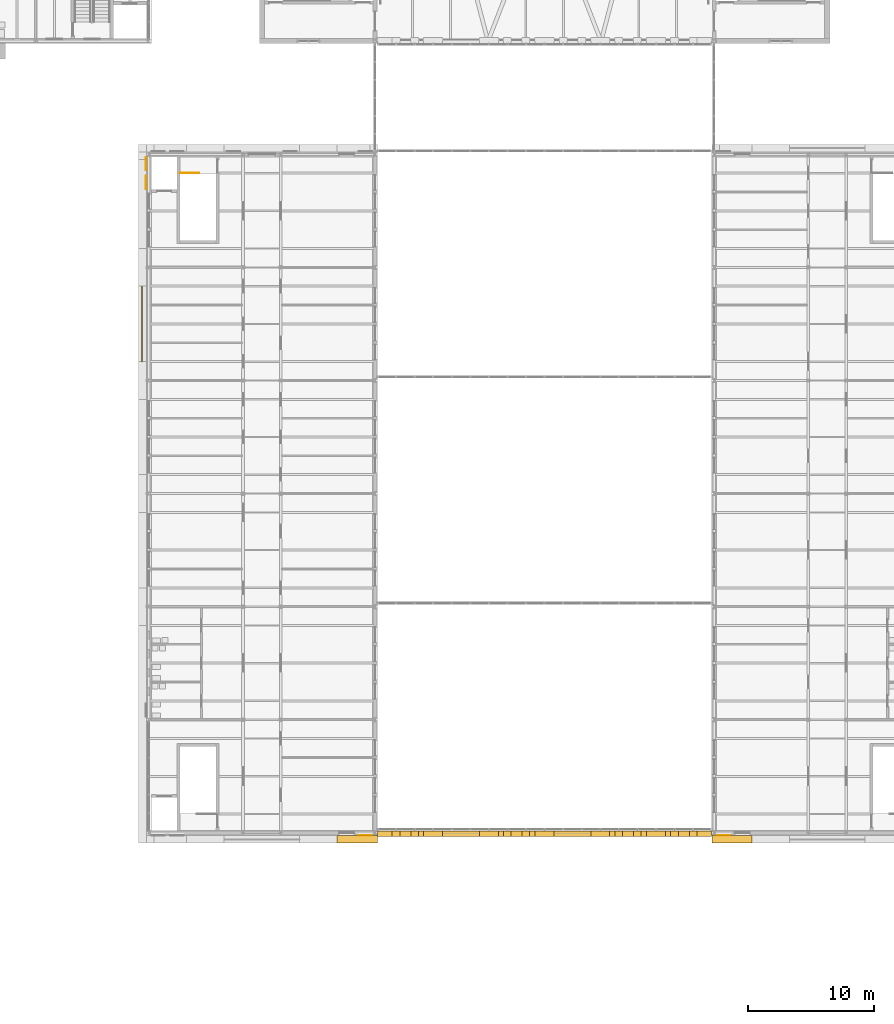
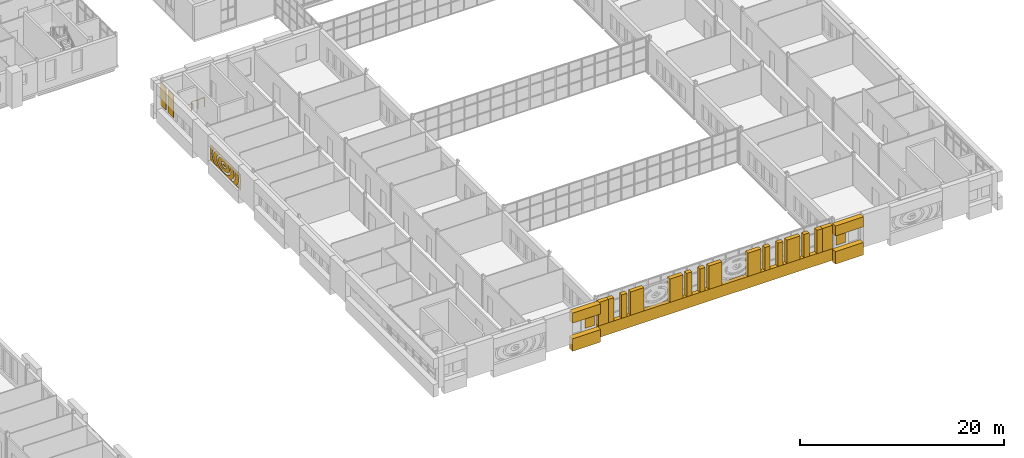
# One storey, part 140 of 154: 25 coverings, 1 railing.
"""IFC4 building model written with IfcOpenShell, lengths in metres."""

from ifc_helpers import new_model, si_unit, direction, frame, origin, origin_2d, place, context, subcontext, project, spatial, polyline, circle, outline, extrude, material, layer, layer_set, type_object, element, save


model = new_model("IFC4")

# Units and contexts
model_context = context("Model", 3, precision=1e-05, world=origin(), true_north=direction((0.0, 1.0)))
body_context = subcontext(model_context, "Body", "Model", "MODEL_VIEW")
ifc_project = project(units=[si_unit("LENGTHUNIT", "METRE"), si_unit("AREAUNIT", "SQUARE_METRE"), si_unit("VOLUMEUNIT", "CUBIC_METRE"), si_unit("PLANEANGLEUNIT", "RADIAN"), si_unit("MASSUNIT", "GRAM", prefix="KILO")], contexts=[model_context])

# Site, building, storey
site_placement = place(None, origin())
site = spatial("IfcSite", under=ifc_project, at=site_placement, CompositionType="ELEMENT")
building_placement = place(site_placement, origin())
building = spatial("IfcBuilding", under=site, at=building_placement, Name="Golden Quay Civic Hall", CompositionType="ELEMENT")
storey_placement = place(building_placement, frame((0.0, 0.0, 14.39990234375)))
storey = spatial("IfcBuildingStorey", under=building, at=storey_placement, Name="L03", CompositionType="ELEMENT", Elevation=14.39990234375)

# Covering
ifc_material_1 = material(Name="Aluminium, golden anodised, perforated", Category="aluminium")
ifc_layer_1 = layer(ifc_material_1, 0.0400390625)
ifc_layer_set_1 = layer_set([ifc_layer_1], Name="Perforated screen panel 6000 x 1880 x 40")
covering_type_1 = type_object("IfcCoveringType", Name="Perforated screen panel 6000 x 1880 x 40", PredefinedType="CLADDING", material=ifc_layer_set_1)
covering_1_placement = place(storey_placement, frame((53.5, 40.5, 1.5400390625), z_axis=(-1.0, 0.0, 0.0), x_axis=(0.0, -1.0, 0.0)))
element("IfcCovering", 1, at=covering_1_placement, inside=storey, type_object=covering_type_1, Name="Perforated screen panel 6000 x 1880 x 40 L03 1", PredefinedType="CLADDING", context=body_context, shape_type="SweptSolid", body=[
    extrude(outline(polyline([(-3.0, -0.93994140625), (3.0, -0.93994140625), (3.0, 0.93994140625), (-3.0, 0.93994140625), (-3.0, -0.93994140625)]), holes=[polyline([(-0.148681640625, 0.11083984375), (-0.189208984375, 0.136962890625), (-0.24951171875, 0.158447265625), (-0.32177734375, 0.169677734375), (-0.37255859375, 0.169921875), (-0.422119140625, 0.164306640625), (-0.48828125, 0.146484375), (-0.53759765625, 0.12158203125), (-0.55810546875, 0.1044921875), (-0.571533203125, 0.08642578125), (-0.571044921875, 0.07275390625), (-0.556396484375, 0.053466796875), (-0.534423828125, 0.036376953125), (-0.502685546875, 0.019287109375), (-0.462646484375, 0.0048828125), (-0.41650390625, -0.00537109375), (-0.34130859375, -0.010498046875), (-0.26708984375, -0.00244140625), (-0.202880859375, 0.016845703125), (-0.169921875, 0.03369140625), (-0.146484375, 0.051025390625), (-0.133056640625, 0.06591796875), (-0.124267578125, 0.08349609375), (0.106201171875, -0.02099609375), (0.077880859375, -0.073974609375), (0.04541015625, -0.114990234375), (-0.001220703125, -0.156982421875), (-0.04150390625, -0.184326171875), (-0.100830078125, -0.214599609375), (-0.1748046875, -0.240234375), (-0.220947265625, -0.251220703125), (-0.2998046875, -0.26171875), (-0.37255859375, -0.262939453125), (-0.412353515625, -0.260498046875), (-0.49853515625, -0.2470703125), (-0.56591796875, -0.2275390625), (-0.6015625, -0.21337890625), (-0.668212890625, -0.17822265625), (-0.7080078125, -0.149658203125), (-0.736328125, -0.1240234375), (-0.761962890625, -0.095703125), (-0.7841796875, -0.064208984375), (-0.802490234375, -0.02978515625), (-0.81591796875, 0.007080078125), (-0.825927734375, 0.06591796875), (-0.822509765625, 0.123779296875), (-0.813232421875, 0.16162109375), (-0.799072265625, 0.197021484375), (-0.780517578125, 0.229736328125), (-0.758544921875, 0.260009765625), (-0.70556640625, 0.3115234375), (-0.6435546875, 0.352783203125), (-0.574462890625, 0.384521484375), (-0.5, 0.40673828125), (-0.461181640625, 0.414306640625), (-0.389404296875, 0.42236328125), (-0.30908203125, 0.422119140625), (-0.261962890625, 0.417724609375), (-0.183837890625, 0.402587890625), (-0.11767578125, 0.38134765625), (-0.073974609375, 0.362060546875), (-0.017578125, 0.328857421875), (0.021240234375, 0.29833984375), (0.063720703125, 0.25341796875), (-0.12939453125, 0.090087890625), (-0.148681640625, 0.11083984375)]), polyline([(-0.28271484375, 0.727294921875), (-0.37158203125, 0.728515625), (-0.460205078125, 0.725341796875), (-0.54833984375, 0.718017578125), (-0.63525390625, 0.70654296875), (-0.72021484375, 0.69140625), (-0.802734375, 0.672119140625), (-0.88232421875, 0.64892578125), (-0.95849609375, 0.62255859375), (-1.030517578125, 0.592529296875), (-1.098388671875, 0.559814453125), (-1.1611328125, 0.524169921875), (-1.21875, 0.486083984375), (-1.27099609375, 0.4462890625), (-1.317138671875, 0.404541015625), (-1.357421875, 0.36181640625), (-1.391357421875, 0.318115234375), (-1.419189453125, 0.274169921875), (-1.441162109375, 0.230224609375), (-1.457275390625, 0.186279296875), (-1.4677734375, 0.142578125), (-1.472900390625, 0.09912109375), (-1.472412109375, 0.0556640625), (-1.466796875, 0.01220703125), (-1.455810546875, -0.031494140625), (-1.43896484375, -0.075439453125), (-1.416259765625, -0.119384765625), (-1.3876953125, -0.163330078125), (-1.352783203125, -0.206787109375), (-1.31201171875, -0.24951171875), (-1.264892578125, -0.291015625), (-1.21240234375, -0.330810546875), (-1.154052734375, -0.368408203125), (-1.090576171875, -0.40380859375), (-1.022216796875, -0.436279296875), (-0.94970703125, -0.4658203125), (-0.873046875, -0.491943359375), (-0.793212890625, -0.514404296875), (-0.710205078125, -0.533203125), (-0.625, -0.548095703125), (-0.5380859375, -0.55908203125), (-0.449951171875, -0.56591796875), (-0.361083984375, -0.568603515625), (-0.272216796875, -0.56689453125), (-0.18359375, -0.561279296875), (-0.096435546875, -0.55126953125), (-0.0107421875, -0.537353515625), (0.07275390625, -0.51953125), (0.153564453125, -0.497802734375), (0.23095703125, -0.47265625), (0.3046875, -0.44384765625), (0.3740234375, -0.412109375), (0.438720703125, -0.37744140625), (0.498291015625, -0.34033203125), (0.552490234375, -0.301025390625), (0.600830078125, -0.260009765625), (0.643310546875, -0.217529296875), (0.6796875, -0.17431640625), (0.709716796875, -0.13037109375), (0.73388671875, -0.086181640625), (0.752197265625, -0.042236328125), (0.7646484375, 0.00146484375), (0.771484375, 0.044921875), (0.773193359375, 0.08837890625), (0.76953125, 0.1318359375), (0.760498046875, 0.17529296875), (0.745849609375, 0.21923828125), (0.725341796875, 0.26318359375), (0.698974609375, 0.307373046875), (0.666259765625, 0.35107421875), (0.627685546875, 0.39404296875), (0.5830078125, 0.43603515625), (0.528564453125, 0.4794921875), (0.6865234375, 0.677001953125), (0.74462890625, 0.630615234375), (0.8046875, 0.57470703125), (0.8583984375, 0.515625), (0.905517578125, 0.453369140625), (0.945556640625, 0.3876953125), (0.97802734375, 0.3193359375), (1.002685546875, 0.24853515625), (1.018798828125, 0.17578125), (1.02587890625, 0.10205078125), (1.02392578125, 0.027587890625), (1.01318359375, -0.046142578125), (0.993408203125, -0.11865234375), (0.96484375, -0.189208984375), (0.928466796875, -0.25732421875), (0.884521484375, -0.322509765625), (0.83349609375, -0.38427734375), (0.768310546875, -0.449462890625), (0.704833984375, -0.5029296875), (0.643310546875, -0.547607421875), (0.561767578125, -0.598388671875), (0.48291015625, -0.640380859375), (0.399658203125, -0.67822265625), (0.312744140625, -0.7119140625), (0.228759765625, -0.7392578125), (0.12890625, -0.76611328125), (0.032958984375, -0.78662109375), (-0.06494140625, -0.80224609375), (-0.164306640625, -0.813232421875), (-0.2646484375, -0.819580078125), (-0.359619140625, -0.8212890625), (-0.460205078125, -0.818603515625), (-0.560546875, -0.81103515625), (-0.659423828125, -0.798828125), (-0.76318359375, -0.780517578125), (-0.852294921875, -0.760498046875), (-0.945068359375, -0.734375), (-1.03466796875, -0.7041015625), (-1.12060546875, -0.669189453125), (-1.202880859375, -0.63037109375), (-1.280517578125, -0.58740234375), (-1.361083984375, -0.535400390625), (-1.421142578125, -0.489990234375), (-1.4833984375, -0.435546875), (-1.546875, -0.369140625), (-1.59619140625, -0.306640625), (-1.63818359375, -0.24072265625), (-1.6669921875, -0.184814453125), (-1.694580078125, -0.11474609375), (-1.7138671875, -0.042724609375), (-1.724365234375, 0.03076171875), (-1.724853515625, 0.12060546875), (-1.715576171875, 0.194091796875), (-1.70166015625, 0.252197265625), (-1.67626953125, 0.32373046875), (-1.642822265625, 0.392822265625), (-1.6015625, 0.458984375), (-1.552978515625, 0.52197265625), (-1.497802734375, 0.58154296875), (-1.436279296875, 0.637451171875), (-1.36181640625, 0.69482421875), (-1.28955078125, 0.7421875), (-1.219482421875, 0.78173828125), (-1.130615234375, 0.824951171875), (-1.0517578125, 0.857666015625), (-0.98779296875, 0.8798828125), (-0.085693359375, 0.8798828125), (-0.103515625, 0.71240234375), (-0.194091796875, 0.72216796875), (-0.28271484375, 0.727294921875)]), polyline([(-1.856689453125, 0.8798828125), (-1.965087890625, 0.802001953125), (-2.039794921875, 0.73876953125), (-2.107177734375, 0.673095703125), (-2.167236328125, 0.605712890625), (-2.219482421875, 0.536865234375), (-2.26416015625, 0.466552734375), (-2.30126953125, 0.395751953125), (-2.330322265625, 0.32421875), (-2.35205078125, 0.252197265625), (-2.3662109375, 0.180419921875), (-2.372802734375, 0.108154296875), (-2.3720703125, 0.0361328125), (-2.36376953125, -0.035888671875), (-2.347900390625, -0.10791015625), (-2.32470703125, -0.1796875), (-2.293701171875, -0.251220703125), (-2.255126953125, -0.322021484375), (-2.208740234375, -0.391845703125), (-2.15478515625, -0.46044921875), (-2.093017578125, -0.527587890625), (-2.024169921875, -0.5927734375), (-1.947998046875, -0.655517578125), (-1.86474609375, -0.715576171875), (-1.77490234375, -0.7724609375), (-1.67919921875, -0.825927734375), (-1.568115234375, -0.8798828125), (-2.06884765625, -0.8798828125), (-2.09912109375, -0.858154296875), (-2.18798828125, -0.78515625), (-2.2763671875, -0.701904296875), (-2.34423828125, -0.628173828125), (-2.41064453125, -0.544189453125), (-2.468994140625, -0.457275390625), (-2.5185546875, -0.3671875), (-2.55908203125, -0.27490234375), (-2.590576171875, -0.18017578125), (-2.6123046875, -0.083740234375), (-2.6240234375, 0.013916015625), (-2.625732421875, 0.11181640625), (-2.617431640625, 0.2099609375), (-2.59619140625, 0.3193359375), (-2.56689453125, 0.414306640625), (-2.5283203125, 0.50732421875), (-2.48046875, 0.597900390625), (-2.424072265625, 0.685546875), (-2.365478515625, 0.7626953125), (-2.293212890625, 0.8447265625), (-2.257080078125, 0.8798828125), (-1.856689453125, 0.8798828125)]), polyline([(0.867919921875, -0.8798828125), (0.981689453125, -0.82470703125), (1.077392578125, -0.77099609375), (1.1669921875, -0.714111328125), (1.25, -0.65380859375), (1.325927734375, -0.591064453125), (1.394775390625, -0.52587890625), (1.456298828125, -0.458740234375), (1.510009765625, -0.39013671875), (1.55615234375, -0.3203125), (1.5947265625, -0.24951171875), (1.62548828125, -0.177978515625), (1.6484375, -0.106201171875), (1.6640625, -0.0341796875), (1.672119140625, 0.037841796875), (1.672607421875, 0.110107421875), (1.666015625, 0.18212890625), (1.651611328125, 0.254150390625), (1.6298828125, 0.325927734375), (1.600341796875, 0.3974609375), (1.563232421875, 0.468505859375), (1.518310546875, 0.53857421875), (1.4658203125, 0.607421875), (1.405517578125, 0.6748046875), (1.337890625, 0.740234375), (1.26318359375, 0.803466796875), (1.156982421875, 0.8798828125), (1.557373046875, 0.8798828125), (1.59130859375, 0.8466796875), (1.663818359375, 0.7646484375), (1.72265625, 0.687744140625), (1.779296875, 0.60009765625), (1.83203125, 0.499267578125), (1.865966796875, 0.416748046875), (1.8955078125, 0.321533203125), (1.9169921875, 0.21240234375), (1.925048828125, 0.127197265625), (1.925048828125, 0.029296875), (1.91259765625, -0.081298828125), (1.89111328125, -0.177734375), (1.860107421875, -0.2724609375), (1.819580078125, -0.364990234375), (1.770263671875, -0.455078125), (1.71240234375, -0.5419921875), (1.652099609375, -0.61865234375), (1.578125, -0.7001953125), (1.49658203125, -0.777587890625), (1.40771484375, -0.851318359375), (1.368896484375, -0.8798828125), (0.867919921875, -0.8798828125)]), polyline([(-2.93994140625, -0.732177734375), (-2.83642578125, -0.843017578125), (-2.79638671875, -0.8798828125), (-2.93994140625, -0.8798828125), (-2.93994140625, -0.732177734375)]), polyline([(2.178955078125, -0.80029296875), (2.255615234375, -0.71533203125), (2.323974609375, -0.62841796875), (2.38427734375, -0.5400390625), (2.436279296875, -0.4501953125), (2.47998046875, -0.359375), (2.51513671875, -0.267578125), (2.5419921875, -0.17529296875), (2.560791015625, -0.082763671875), (2.571044921875, 0.010009765625), (2.5732421875, 0.10302734375), (2.56689453125, 0.196044921875), (2.552490234375, 0.288818359375), (2.52978515625, 0.381103515625), (2.498779296875, 0.47314453125), (2.459228515625, 0.564453125), (2.41162109375, 0.65478515625), (2.35546875, 0.744140625), (2.291015625, 0.831787109375), (2.25048828125, 0.8798828125), (2.568603515625, 0.8798828125), (2.6328125, 0.77734375), (2.685302734375, 0.67822265625), (2.73291015625, 0.568603515625), (2.774169921875, 0.447021484375), (2.801513671875, 0.3330078125), (2.819091796875, 0.218505859375), (2.826171875, 0.10302734375), (2.822998046875, -0.01220703125), (2.809814453125, -0.127197265625), (2.7890625, -0.23046875), (2.753173828125, -0.353515625), (2.710205078125, -0.464111328125), (2.662109375, -0.56396484375), (2.595947265625, -0.678466796875), (2.525390625, -0.781494140625), (2.447509765625, -0.8798828125), (2.097412109375, -0.8798828125), (2.178955078125, -0.80029296875)])]), origin(), (0.0, 0.0, 1.0), 0.0400390625),
])

# Railing
ifc_material_2 = material(Name="Steel S355", Category="steel")
railing_type = type_object("IfcRailingType", Name="Steel guard 1100", PredefinedType="GUARDRAIL", material=ifc_material_2)
railing_placement = place(storey_placement, frame((56.5, 52.5, 0.0)))
element("IfcRailing", 2, at=railing_placement, inside=storey, type_object=railing_type, Name="L03 WM-N top well guard 1", PredefinedType="GUARDRAIL", context=body_context, shape_type="SweptSolid", body=[
    extrude(circle(Radius=0.02392578125, at=origin_2d()), frame((0.0, 0.0, 1.076171875), z_axis=(1.0, 0.0, 0.0), x_axis=(0.0, 1.0, 0.0)), (0.0, 0.0, 1.0), 1.5),
    extrude(circle(Radius=0.02099609375, at=origin_2d()), origin(), (0.0, 0.0, 1.0), 1.052001953125),
    extrude(circle(Radius=0.02099609375, at=origin_2d()), frame((0.75, 0.0, 0.0)), (0.0, 0.0, 1.0), 1.052001953125),
    extrude(circle(Radius=0.02099609375, at=origin_2d()), frame((1.5, 0.0, 0.0)), (0.0, 0.0, 1.0), 1.052001953125),
])

# Coverings
ifc_material_3 = material(Name="Terracotta cladding, golden glaze", Category="masonry")
covering_type_2 = type_object("IfcCoveringType", Name="Terracotta hall screen fascia 450 x 1400", PredefinedType="CLADDING", material=ifc_material_3)
covering_2_placement = place(storey_placement, frame((0.0, 0.0, -0.699951171875)))
element("IfcCovering", 3, at=covering_2_placement, inside=storey, type_object=covering_type_2, Name="Hall screen fascia south L03", PredefinedType="CLADDING", context=body_context, shape_type="SweptSolid", body=[
    extrude(outline(polyline([(72.219970703125, -0.300048828125), (98.780029296875, -0.300048828125), (98.780029296875, 0.14990234375), (72.219970703125, 0.14990234375), (72.219970703125, -0.300048828125)])), origin(), (0.0, 0.0, 1.0), 1.400146484375),
])
ifc_material_4 = material(Name="Terracotta cladding, golden glaze", Category="masonry")
covering_type_3 = type_object("IfcCoveringType", Name="Terracotta hall screen minor pier 600 x 450", PredefinedType="CLADDING", material=ifc_material_4)
covering_3_placement = place(storey_placement, frame((0.0, 0.0, 0.7001953125)))
element("IfcCovering", 4, at=covering_3_placement, inside=storey, type_object=covering_type_3, Name="Hall screen minor pier south L03 1", PredefinedType="CLADDING", context=body_context, shape_type="SweptSolid", body=[
    extrude(outline(polyline([(73.3779296875, -0.300048828125), (73.97802734375, -0.300048828125), (73.97802734375, 0.14990234375), (73.3779296875, 0.14990234375), (73.3779296875, -0.300048828125)])), origin(), (0.0, 0.0, 1.0), 2.7998046875),
])
covering_4_placement = place(storey_placement, frame((0.0, 0.0, 0.7001953125)))
element("IfcCovering", 5, at=covering_4_placement, inside=storey, type_object=covering_type_3, Name="Hall screen minor pier south L03 2", PredefinedType="CLADDING", context=body_context, shape_type="SweptSolid", body=[
    extrude(outline(polyline([(74.85595703125, -0.300048828125), (75.4560546875, -0.300048828125), (75.4560546875, 0.14990234375), (74.85595703125, 0.14990234375), (74.85595703125, -0.300048828125)])), origin(), (0.0, 0.0, 1.0), 2.7998046875),
])
covering_5_placement = place(storey_placement, frame((0.0, 0.0, 0.7001953125)))
element("IfcCovering", 6, at=covering_5_placement, inside=storey, type_object=covering_type_3, Name="Hall screen minor pier south L03 7", PredefinedType="CLADDING", context=body_context, shape_type="SweptSolid", body=[
    extrude(outline(polyline([(82.243896484375, -0.300048828125), (82.843994140625, -0.300048828125), (82.843994140625, 0.14990234375), (82.243896484375, 0.14990234375), (82.243896484375, -0.300048828125)])), origin(), (0.0, 0.0, 1.0), 2.7998046875),
])
covering_6_placement = place(storey_placement, frame((0.0, 0.0, 0.7001953125)))
element("IfcCovering", 7, at=covering_6_placement, inside=storey, type_object=covering_type_3, Name="Hall screen minor pier south L03 8", PredefinedType="CLADDING", context=body_context, shape_type="SweptSolid", body=[
    extrude(outline(polyline([(83.721923828125, -0.300048828125), (84.322021484375, -0.300048828125), (84.322021484375, 0.14990234375), (83.721923828125, 0.14990234375), (83.721923828125, -0.300048828125)])), origin(), (0.0, 0.0, 1.0), 2.7998046875),
])
covering_7_placement = place(storey_placement, frame((0.0, 0.0, 0.7001953125)))
element("IfcCovering", 8, at=covering_7_placement, inside=storey, type_object=covering_type_3, Name="Hall screen minor pier south L03 13", PredefinedType="CLADDING", context=body_context, shape_type="SweptSolid", body=[
    extrude(outline(polyline([(91.111083984375, -0.300048828125), (91.7109375, -0.300048828125), (91.7109375, 0.14990234375), (91.111083984375, 0.14990234375), (91.111083984375, -0.300048828125)])), origin(), (0.0, 0.0, 1.0), 2.7998046875),
])
covering_8_placement = place(storey_placement, frame((0.0, 0.0, 0.7001953125)))
element("IfcCovering", 9, at=covering_8_placement, inside=storey, type_object=covering_type_3, Name="Hall screen minor pier south L03 14", PredefinedType="CLADDING", context=body_context, shape_type="SweptSolid", body=[
    extrude(outline(polyline([(92.589111328125, -0.300048828125), (93.18896484375, -0.300048828125), (93.18896484375, 0.14990234375), (92.589111328125, 0.14990234375), (92.589111328125, -0.300048828125)])), origin(), (0.0, 0.0, 1.0), 2.7998046875),
])
covering_9_placement = place(storey_placement, frame((0.0, 0.0, 0.7001953125)))
element("IfcCovering", 10, at=covering_9_placement, inside=storey, type_object=covering_type_3, Name="Hall screen minor pier south L03 16", PredefinedType="CLADDING", context=body_context, shape_type="SweptSolid", body=[
    extrude(outline(polyline([(95.5439453125, -0.300048828125), (96.14404296875, -0.300048828125), (96.14404296875, 0.14990234375), (95.5439453125, 0.14990234375), (95.5439453125, -0.300048828125)])), origin(), (0.0, 0.0, 1.0), 2.7998046875),
])
covering_10_placement = place(storey_placement, frame((0.0, 0.0, 0.7001953125)))
element("IfcCovering", 11, at=covering_10_placement, inside=storey, type_object=covering_type_3, Name="Hall screen minor pier south L03 17", PredefinedType="CLADDING", context=body_context, shape_type="SweptSolid", body=[
    extrude(outline(polyline([(97.02197265625, -0.300048828125), (97.6220703125, -0.300048828125), (97.6220703125, 0.14990234375), (97.02197265625, 0.14990234375), (97.02197265625, -0.300048828125)])), origin(), (0.0, 0.0, 1.0), 2.7998046875),
])
ifc_material_5 = material(Name="Terracotta cladding, golden glaze", Category="masonry")
covering_type_4 = type_object("IfcCoveringType", Name="Terracotta hall screen pier 1500 x 450", PredefinedType="CLADDING", material=ifc_material_5)
covering_11_placement = place(storey_placement, frame((0.0, 0.0, 0.7001953125)))
element("IfcCovering", 12, at=covering_11_placement, inside=storey, type_object=covering_type_4, Name="Hall screen pier south L03 0", PredefinedType="CLADDING", context=body_context, shape_type="SweptSolid", body=[
    extrude(outline(polyline([(72.219970703125, -0.300048828125), (73.719970703125, -0.300048828125), (73.719970703125, 0.14990234375), (72.219970703125, 0.14990234375), (72.219970703125, -0.300048828125)])), origin(), (0.0, 0.0, 1.0), 2.7998046875),
])
covering_12_placement = place(storey_placement, frame((0.0, 0.0, 0.7001953125)))
element("IfcCovering", 13, at=covering_12_placement, inside=storey, type_object=covering_type_4, Name="Hall screen pier south L03 3", PredefinedType="CLADDING", context=body_context, shape_type="SweptSolid", body=[
    extrude(outline(polyline([(75.883056640625, -0.300048828125), (77.383056640625, -0.300048828125), (77.383056640625, 0.14990234375), (75.883056640625, 0.14990234375), (75.883056640625, -0.300048828125)])), origin(), (0.0, 0.0, 1.0), 2.7998046875),
])
covering_13_placement = place(storey_placement, frame((0.0, 0.0, 0.7001953125)))
element("IfcCovering", 14, at=covering_13_placement, inside=storey, type_object=covering_type_4, Name="Hall screen pier south L03 6", PredefinedType="CLADDING", context=body_context, shape_type="SweptSolid", body=[
    extrude(outline(polyline([(80.31689453125, -0.300048828125), (81.81689453125, -0.300048828125), (81.81689453125, 0.14990234375), (80.31689453125, 0.14990234375), (80.31689453125, -0.300048828125)])), origin(), (0.0, 0.0, 1.0), 2.7998046875),
])
covering_14_placement = place(storey_placement, frame((0.0, 0.0, 0.7001953125)))
element("IfcCovering", 15, at=covering_14_placement, inside=storey, type_object=covering_type_4, Name="Hall screen pier south L03 9", PredefinedType="CLADDING", context=body_context, shape_type="SweptSolid", body=[
    extrude(outline(polyline([(84.75, -0.300048828125), (86.25, -0.300048828125), (86.25, 0.14990234375), (84.75, 0.14990234375), (84.75, -0.300048828125)])), origin(), (0.0, 0.0, 1.0), 2.7998046875),
])
covering_15_placement = place(storey_placement, frame((0.0, 0.0, 0.7001953125)))
element("IfcCovering", 16, at=covering_15_placement, inside=storey, type_object=covering_type_4, Name="Hall screen pier south L03 12", PredefinedType="CLADDING", context=body_context, shape_type="SweptSolid", body=[
    extrude(outline(polyline([(89.18310546875, -0.300048828125), (90.68310546875, -0.300048828125), (90.68310546875, 0.14990234375), (89.18310546875, 0.14990234375), (89.18310546875, -0.300048828125)])), origin(), (0.0, 0.0, 1.0), 2.7998046875),
])
covering_16_placement = place(storey_placement, frame((0.0, 0.0, 0.7001953125)))
element("IfcCovering", 17, at=covering_16_placement, inside=storey, type_object=covering_type_4, Name="Hall screen pier south L03 15", PredefinedType="CLADDING", context=body_context, shape_type="SweptSolid", body=[
    extrude(outline(polyline([(93.616943359375, -0.300048828125), (95.116943359375, -0.300048828125), (95.116943359375, 0.14990234375), (93.616943359375, 0.14990234375), (93.616943359375, -0.300048828125)])), origin(), (0.0, 0.0, 1.0), 2.7998046875),
])
covering_17_placement = place(storey_placement, frame((0.0, 0.0, 0.7001953125)))
element("IfcCovering", 18, at=covering_17_placement, inside=storey, type_object=covering_type_4, Name="Hall screen pier south L03 18", PredefinedType="CLADDING", context=body_context, shape_type="SweptSolid", body=[
    extrude(outline(polyline([(97.280029296875, -0.300048828125), (98.780029296875, -0.300048828125), (98.780029296875, 0.14990234375), (97.280029296875, 0.14990234375), (97.280029296875, -0.300048828125)])), origin(), (0.0, 0.0, 1.0), 2.7998046875),
])
ifc_material_6 = material(Name="Terracotta cladding, golden glaze", Category="masonry")
ifc_layer_2 = layer(ifc_material_6, 0.050048828125)
ifc_layer_set_2 = layer_set([ifc_layer_2], Name="Terracotta solid panel 1050 x 2700 x 50")
covering_type_5 = type_object("IfcCoveringType", Name="Terracotta solid panel 1050 x 2700 x 50", PredefinedType="CLADDING", material=ifc_layer_set_2)
covering_18_placement = place(storey_placement, frame((0.0, 0.0, 0.900146484375)))
element("IfcCovering", 19, at=covering_18_placement, inside=storey, type_object=covering_type_5, Name="Terracotta solid panel 1050 x 2700 x 50 L03 13", PredefinedType="CLADDING", context=body_context, shape_type="SweptSolid", body=[
    extrude(outline(polyline([(53.800048828125, 51.22509765625), (53.800048828125, 52.27490234375), (53.75, 52.27490234375), (53.75, 51.22509765625), (53.800048828125, 51.22509765625)])), origin(), (0.0, 0.0, 1.0), 2.699951171875),
])
covering_19_placement = place(storey_placement, frame((0.0, 0.0, 0.900146484375)))
element("IfcCovering", 20, at=covering_19_placement, inside=storey, type_object=covering_type_5, Name="Terracotta solid panel 1050 x 2700 x 50 L03 14", PredefinedType="CLADDING", context=body_context, shape_type="SweptSolid", body=[
    extrude(outline(polyline([(53.800048828125, 52.72509765625), (53.800048828125, 53.77490234375), (53.75, 53.77490234375), (53.75, 52.72509765625), (53.800048828125, 52.72509765625)])), origin(), (0.0, 0.0, 1.0), 2.699951171875),
])
covering_20_placement = place(storey_placement, frame((0.0, 0.0, 0.900146484375)))
element("IfcCovering", 21, at=covering_20_placement, inside=storey, type_object=covering_type_5, Name="Terracotta solid panel 1050 x 2700 x 50 L03 22", PredefinedType="CLADDING", context=body_context, shape_type="SweptSolid", body=[
    extrude(outline(polyline([(70.72509765625, -0.199951171875), (71.77490234375, -0.199951171875), (71.77490234375, -0.25), (70.72509765625, -0.25), (70.72509765625, -0.199951171875)])), origin(), (0.0, 0.0, 1.0), 2.699951171875),
])
covering_21_placement = place(storey_placement, frame((0.0, 0.0, 0.900146484375)))
element("IfcCovering", 22, at=covering_21_placement, inside=storey, type_object=covering_type_5, Name="Terracotta solid panel 1050 x 2700 x 50 L03 29", PredefinedType="CLADDING", context=body_context, shape_type="SweptSolid", body=[
    extrude(outline(polyline([(99.22509765625, -0.199951171875), (100.27490234375, -0.199951171875), (100.27490234375, -0.25), (99.22509765625, -0.25), (99.22509765625, -0.199951171875)])), origin(), (0.0, 0.0, 1.0), 2.699951171875),
])
ifc_material_7 = material(Name="Terracotta cladding, golden glaze", Category="masonry")
covering_type_6 = type_object("IfcCoveringType", Name="Terracotta spandrel fascia 600 x 1200", PredefinedType="CLADDING", material=ifc_material_7)
covering_22_placement = place(storey_placement, frame((0.0, 0.0, 2.47998046875)))
element("IfcCovering", 23, at=covering_22_placement, inside=storey, type_object=covering_type_6, Name="Terracotta spandrel fascia 600 x 1200 L03 3", PredefinedType="CLADDING", context=body_context, shape_type="SweptSolid", body=[
    extrude(outline(polyline([(72.18994140625, -0.800048828125), (69.0, -0.800048828125), (69.0, -0.199951171875), (72.18994140625, -0.199951171875), (72.18994140625, -0.800048828125)])), origin(), (0.0, 0.0, 1.0), 1.2001953125),
])
covering_23_placement = place(storey_placement, frame((0.0, 0.0, 2.47998046875)))
element("IfcCovering", 24, at=covering_23_placement, inside=storey, type_object=covering_type_6, Name="Terracotta spandrel fascia 600 x 1200 L03 5", PredefinedType="CLADDING", context=body_context, shape_type="SweptSolid", body=[
    extrude(outline(polyline([(98.81005859375, -0.199951171875), (102.0, -0.199951171875), (102.0, -0.800048828125), (98.81005859375, -0.800048828125), (98.81005859375, -0.199951171875)])), origin(), (0.0, 0.0, 1.0), 1.2001953125),
])
ifc_material_8 = material(Name="Terracotta cladding, golden glaze", Category="masonry")
covering_type_7 = type_object("IfcCoveringType", Name="Terracotta spandrel fascia 600 x 1500", PredefinedType="CLADDING", material=ifc_material_8)
covering_24_placement = place(storey_placement, frame((0.0, 0.0, -0.89990234375)))
element("IfcCovering", 25, at=covering_24_placement, inside=storey, type_object=covering_type_7, Name="Terracotta spandrel fascia 600 x 1500 L03 7", PredefinedType="CLADDING", context=body_context, shape_type="SweptSolid", body=[
    extrude(outline(polyline([(72.18994140625, -0.800048828125), (69.0, -0.800048828125), (69.0, -0.199951171875), (72.18994140625, -0.199951171875), (72.18994140625, -0.800048828125)])), origin(), (0.0, 0.0, 1.0), 1.5),
])
covering_25_placement = place(storey_placement, frame((0.0, 0.0, -0.89990234375)))
element("IfcCovering", 26, at=covering_25_placement, inside=storey, type_object=covering_type_7, Name="Terracotta spandrel fascia 600 x 1500 L03 9", PredefinedType="CLADDING", context=body_context, shape_type="SweptSolid", body=[
    extrude(outline(polyline([(98.81005859375, -0.199951171875), (102.0, -0.199951171875), (102.0, -0.800048828125), (98.81005859375, -0.800048828125), (98.81005859375, -0.199951171875)])), origin(), (0.0, 0.0, 1.0), 1.5),
])

save(model, "model.ifc")
